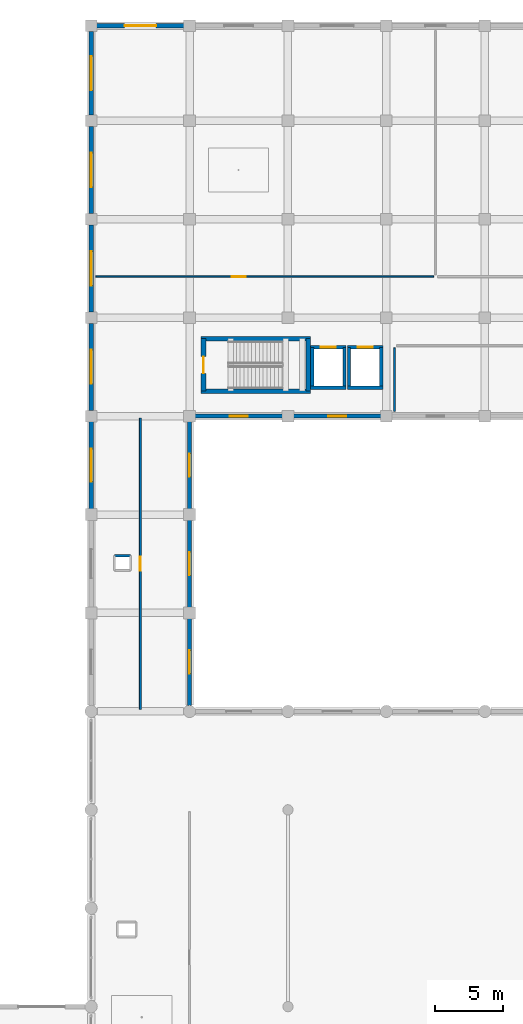
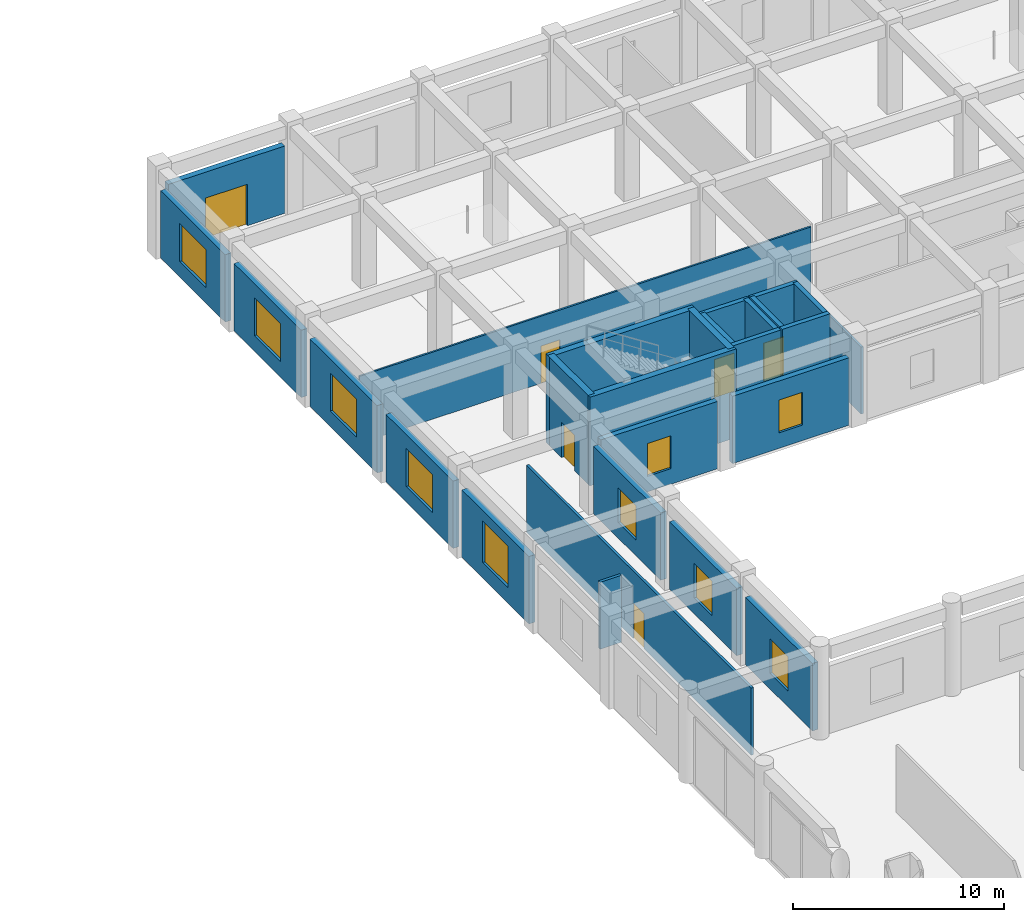
# One storey, part 30 of 56: 27 walls, 10 windows, 6 doors, 16 openings.
"""IFC4 building model written with IfcOpenShell, lengths in metres."""

import ifcopenshell
import ifcopenshell.guid

model = None  # the IFC model being written
_history = None  # IfcOwnerHistory: only IFC2X3 demands one
_inside = {}  # id of a spatial element -> (the spatial element, [elements in it])
_under = {}  # id of a project, library or spatial element -> (it, [spatial elements below it])
_declared = {}  # id of a project -> (the project, [libraries it declares])
_typed = {}  # id of a type object -> (the type object, [elements of that type])
_made_of = {}  # id of a material, layer set ... -> (it, [elements and type objects made of it])


def new_model(schema):
    """Start an empty IFC model of exactly this schema.

    Asked for "IFC4X3", IfcOpenShell would pick the latest addendum, in which some entities
    have other attributes; the version numbers below select the first issue.
    IFC2X3 requires an IfcOwnerHistory on every rooted entity: one is made here for all.
    """
    global model, _history
    if schema == "IFC4X3":
        model = ifcopenshell.file(schema_version=(4, 3, 0, 0))
    else:
        model = ifcopenshell.file(schema=schema)
    _inside.clear()
    _under.clear()
    _declared.clear()
    _typed.clear()
    _made_of.clear()
    _history = None
    if model.schema == "IFC2X3":
        org = make("IfcOrganization", Name="unknown")
        user = make(
            "IfcPersonAndOrganization",
            ThePerson=make("IfcPerson", FamilyName="unknown"),
            TheOrganization=org,
        )
        app = make(
            "IfcApplication",
            ApplicationDeveloper=org,
            Version="unknown",
            ApplicationFullName="unknown",
            ApplicationIdentifier="unknown",
        )
        _history = make(
            "IfcOwnerHistory",
            OwningUser=user,
            OwningApplication=app,
            ChangeAction="ADDED",
            CreationDate=0,
        )
    return model


def make(cls, **values):
    """One entity of the class cls with the attributes given. An attribute that is None is left unset."""
    return model.create_entity(
        cls, **{name: value for name, value in values.items() if value is not None}
    )


def rooted(cls, **values):
    """An entity with a GlobalId (a new one), such as an element, a storey or a relation."""
    return make(cls, GlobalId=ifcopenshell.guid.new(), OwnerHistory=_history, **values)


def si_unit(unit_type, name, prefix=None):
    """IfcSIUnit, for example si_unit("LENGTHUNIT", "METRE", prefix="MILLI")."""
    return make("IfcSIUnit", UnitType=unit_type, Prefix=prefix, Name=name)


def assignment(units):
    """IfcUnitAssignment: the units of a project."""
    return None if units is None else make("IfcUnitAssignment", Units=units)


def point(xyz):
    """IfcCartesianPoint."""
    return None if xyz is None else make("IfcCartesianPoint", Coordinates=xyz)


def direction(xyz):
    """IfcDirection."""
    return None if xyz is None else make("IfcDirection", DirectionRatios=xyz)


def frame(location, z_axis=None, x_axis=None):
    """IfcAxis2Placement3D, a coordinate frame: its origin and axes. An axis left out is left unset."""
    return make(
        "IfcAxis2Placement3D",
        Location=point(location),
        Axis=direction(z_axis),
        RefDirection=direction(x_axis),
    )


def frame_2d(location, x_axis=None):
    """IfcAxis2Placement2D, a coordinate frame in the plane: its origin and x axis."""
    return make(
        "IfcAxis2Placement2D", Location=point(location), RefDirection=direction(x_axis)
    )


def origin():
    """The frame at (0, 0, 0) with its axes left unset."""
    return frame((0.0, 0.0, 0.0))


def place(relative_to, where):
    """IfcLocalPlacement: puts the frame where relative to a parent placement (None: the world)."""
    return make(
        "IfcLocalPlacement", PlacementRelTo=relative_to, RelativePlacement=where
    )


def context(
    kind, dimensions, precision=None, world=None, true_north=None, identifier=None
):
    """IfcGeometricRepresentationContext, for example the 3D "Model" context."""
    return make(
        "IfcGeometricRepresentationContext",
        ContextIdentifier=identifier,
        ContextType=kind,
        CoordinateSpaceDimension=dimensions,
        Precision=precision,
        WorldCoordinateSystem=world,
        TrueNorth=true_north,
    )


def subcontext(parent, identifier, kind, view, scale=None):
    """IfcGeometricRepresentationSubContext, for example "Body" below "Model"."""
    return make(
        "IfcGeometricRepresentationSubContext",
        ContextIdentifier=identifier,
        ContextType=kind,
        ParentContext=parent,
        TargetScale=scale,
        TargetView=view,
    )


def project(units=None, contexts=None):
    """IfcProject with its units and contexts."""
    return rooted(
        "IfcProject",
        Name="project",
        RepresentationContexts=contexts,
        UnitsInContext=assignment(units),
    )


def spatial(cls, under=None, at=None, **own):
    """A site, building, storey or space (cls), placed at a placement, below another one or the project."""
    s = rooted(cls, ObjectPlacement=at, **own)
    if under is not None:
        _under.setdefault(under.id(), (under, []))[1].append(s)
    return s


def profile(cls, at=None, kind="AREA", **sizes):
    """A parametric profile (cls). Its sizes go by their IFC names, for example OverallWidth=200.0."""
    return make(cls, ProfileType=kind, Position=at, **sizes)


def rectangle(**sizes):
    """IfcRectangleProfileDef."""
    return profile("IfcRectangleProfileDef", **sizes)


def extrude(swept, where, along, depth):
    """IfcExtrudedAreaSolid: the profile swept, set in the frame where, extruded along a direction by depth."""
    return make(
        "IfcExtrudedAreaSolid",
        SweptArea=swept,
        Position=where,
        ExtrudedDirection=direction(along),
        Depth=depth,
    )


def shape(context_of_items, identifier, shape_type, items):
    """IfcShapeRepresentation: the items that make up one representation, for example the "Body"."""
    return make(
        "IfcShapeRepresentation",
        ContextOfItems=context_of_items,
        RepresentationIdentifier=identifier,
        RepresentationType=shape_type,
        Items=items,
    )


def material(Name=None, Category=None):
    """IfcMaterial."""
    return make("IfcMaterial", Name=Name, Category=Category)


def layer(
    of_material, thickness, ventilated=None, Name=None, Category=None, Priority=None
):
    """IfcMaterialLayer: one layer of a wall or slab, of a material (None: an air gap)."""
    return make(
        "IfcMaterialLayer",
        Material=of_material,
        LayerThickness=thickness,
        IsVentilated=ventilated,
        Name=Name,
        Category=Category,
        Priority=Priority,
    )


def layer_set(layers, Name=None):
    """IfcMaterialLayerSet."""
    return make("IfcMaterialLayerSet", MaterialLayers=layers, LayerSetName=Name)


def made_of(thing, what):
    """Note that an element or type object is made of a material, layer set ...; save() writes the relation."""
    if what is not None:
        _made_of.setdefault(what.id(), (what, []))[1].append(thing)
    return thing


def type_object(cls, material=None, **own):
    """A type object (cls), such as IfcWallType, which elements share."""
    return made_of(rooted(cls, **own), material)


def element(
    cls,
    number,
    at=None,
    inside=None,
    cuts=None,
    type_object=None,
    material=None,
    context=None,
    identifier="Body",
    shape_type=None,
    held_by="IfcProductDefinitionShape",
    body=None,
    shapes=None,
    **own,
):
    """One element of the class cls, such as IfcWall. Its Tag is "e" and its number.

    at: its placement. inside: the storey or other place that contains it. cuts: it is an
    opening in that element (IfcRelVoidsElement). A single representation is given by context,
    identifier, shape_type and body (its items); several are given by shapes. held_by: the class
    of the entity that holds the representations. save() writes the other relations.
    """
    e = rooted(cls, Tag="e%d" % number, ObjectPlacement=at, **own)
    if body is not None:
        shapes = [shape(context, identifier, shape_type, body)]
    if shapes is not None:
        e.Representation = make(held_by, Representations=shapes)
    if inside is not None:
        _inside.setdefault(inside.id(), (inside, []))[1].append(e)
    if cuts is not None:
        rooted(
            "IfcRelVoidsElement", RelatingBuildingElement=cuts, RelatedOpeningElement=e
        )
    if type_object is not None:
        _typed.setdefault(type_object.id(), (type_object, []))[1].append(e)
    return made_of(e, material)


def fill(opening, filler):
    """IfcRelFillsElement: the door or window that sits in an opening."""
    return rooted(
        "IfcRelFillsElement",
        RelatingOpeningElement=opening,
        RelatedBuildingElement=filler,
    )


def aggregate(whole, parts):
    """IfcRelAggregates: a whole, such as a stair, and the parts it consists of."""
    return rooted("IfcRelAggregates", RelatingObject=whole, RelatedObjects=parts)


def save(model, path):
    """Write the relations noted so far, then the file.

    IfcRelAggregates (storeys below a building ...), IfcRelContainedInSpatialStructure (elements
    in a storey), IfcRelDefinesByType, IfcRelAssociatesMaterial and IfcRelDeclares: one each for
    every whole, place, type object, material and project.
    """
    for whole, parts in _under.values():
        aggregate(whole, parts)
    for where, things in _inside.values():
        rooted(
            "IfcRelContainedInSpatialStructure",
            RelatedElements=things,
            RelatingStructure=where,
        )
    for kind, things in _typed.values():
        rooted("IfcRelDefinesByType", RelatedObjects=things, RelatingType=kind)
    for what, things in _made_of.values():
        rooted("IfcRelAssociatesMaterial", RelatedObjects=things, RelatingMaterial=what)
    for by, libraries in _declared.values():
        rooted("IfcRelDeclares", RelatingContext=by, RelatedDefinitions=libraries)
    model.write(path)


model = new_model("IFC4")

# Units and contexts
model_context = context("Model", 3, precision=1e-05, world=origin(), true_north=direction((0.0, 1.0)))
body_context = subcontext(model_context, "Body", "Model", "MODEL_VIEW")
ifc_project = project(units=[si_unit("LENGTHUNIT", "METRE"), si_unit("AREAUNIT", "SQUARE_METRE"), si_unit("VOLUMEUNIT", "CUBIC_METRE"), si_unit("PLANEANGLEUNIT", "RADIAN"), si_unit("MASSUNIT", "GRAM", prefix="KILO")], contexts=[model_context])

# Site, building, storey
site_placement = place(None, origin())
site = spatial("IfcSite", under=ifc_project, at=site_placement, CompositionType="ELEMENT")
building_placement = place(site_placement, origin())
building = spatial("IfcBuilding", under=site, at=building_placement, Name="Kazehaya Institute of Natural Sciences", CompositionType="ELEMENT")
storey_placement = place(building_placement, origin())
storey = spatial("IfcBuildingStorey", under=building, at=storey_placement, Name="L00", CompositionType="ELEMENT", Elevation=0.0)

# Walls
ifc_material_1 = material(Name="Concrete Fc42", Category="concrete")
ifc_layer_1 = layer(ifc_material_1, 0.35009765625, Name="Concrete Fc42", Category="concrete")
ifc_layer_set_1 = layer_set([ifc_layer_1], Name="Concrete Fc42")
wall_type_1 = type_object("IfcWallType", Name="WL-CORE-350", PredefinedType="SHEAR", material=ifc_layer_set_1)
for number, where, z_axis, x_axis, name in (
    (1, (77.85498046875, 87.820068359375, 0.0), (0.0, 0.0, 1.0), (-1.0, 0.0, 0.0), "L00 ST-3 core wall S"),
    (2, (69.844970703125, 91.659912109375, 0.0), (0.0, 0.0, 1.0), (1.0, 0.0, 0.0), "L00 ST-3 core wall N"),
):
    element("IfcWall", number, at=place(storey_placement, frame(where, z_axis=z_axis, x_axis=x_axis)), inside=storey, type_object=wall_type_1, Name=name, PredefinedType="SHEAR", context=body_context, shape_type="SweptSolid", body=[
        extrude(rectangle(XDim=8.010009765625, YDim=0.35009765625, at=frame_2d((4.0048828125, 0.0))), origin(), (0.0, 0.0, 1.0), 5.1298828125),
    ])

# Wall, opening, door
wall_1_placement = place(storey_placement, frame((70.02001953125, 87.820068359375, 0.0), z_axis=(0.0, 0.0, 1.0), x_axis=(0.0, 1.0, 0.0)))
wall_1 = element("IfcWall", 3, at=wall_1_placement, inside=storey, type_object=wall_type_1, Name="L00 ST-3 core wall W", PredefinedType="SHEAR", context=body_context, shape_type="SweptSolid", body=[
    extrude(rectangle(XDim=3.83984375, YDim=0.35009765625, at=frame_2d((1.919921875, 0.0))), origin(), (0.0, 0.0, 1.0), 5.1298828125),
])
opening_1_placement = place(wall_1_placement, frame((1.31005859375, 0.0, 0.0)))
opening_1 = element("IfcOpeningElement", 4, at=opening_1_placement, cuts=wall_1, Name="Opening D-ST-024", PredefinedType="OPENING", context=body_context, shape_type="SweptSolid", body=[
    extrude(rectangle(XDim=1.219970703125, YDim=2.06005859375, at=frame_2d((0.60986328125, 1.030029296875))), frame((0.0, 0.18505859375, 0.0), z_axis=(0.0, -1.0, 0.0), x_axis=(1.0, 0.0, 0.0)), (0.0, 0.0, 1.0), 0.3701171875),
])
ifc_material_2 = material(Name="Fire-rated steel acoustic door", Category="steel")
door_type_1 = type_object("IfcDoorType", Name="DT-FD-25", OperationType="NOTDEFINED", PredefinedType="DOOR", material=ifc_material_2)
door_1_placement = place(opening_1_placement, origin())
door_1 = element("IfcDoor", 5, at=door_1_placement, inside=storey, type_object=door_type_1, Name="L00 ST-3 stair enclosure door D-ST-024", OperationType="SINGLE_SWING_RIGHT", OverallHeight=2.06005859375, OverallWidth=1.219970703125, PredefinedType="DOOR", context=body_context, shape_type="SweptSolid", body=[
    extrude(rectangle(XDim=1.219970703125, YDim=2.06005859375, at=frame_2d((0.60986328125, 1.030029296875))), frame((0.0, 0.02490234375, 0.0), z_axis=(0.0, -1.0, 0.0), x_axis=(1.0, 0.0, 0.0)), (0.0, 0.0, 1.0), 0.050048828125),
])
fill(opening_1, door_1)

# Wall
wall_2_placement = place(storey_placement, frame((77.679931640625, 91.659912109375, 0.0), z_axis=(0.0, 0.0, 1.0), x_axis=(0.0, -1.0, 0.0)))
element("IfcWall", 6, at=wall_2_placement, inside=storey, type_object=wall_type_1, Name="L00 ST-3 core wall E", PredefinedType="SHEAR", context=body_context, shape_type="SweptSolid", body=[
    extrude(rectangle(XDim=3.83984375, YDim=0.35009765625, at=frame_2d((1.919921875, 0.0))), origin(), (0.0, 0.0, 1.0), 5.1298828125),
])

# Wall, opening, window
ifc_material_3 = material(Name="Precast concrete Fc36", Category="concrete")
ifc_layer_2 = layer(ifc_material_3, 0.2900390625, Name="Precast concrete Fc36", Category="concrete")
ifc_layer_set_2 = layer_set([ifc_layer_2], Name="Precast concrete Fc36")
wall_type_2 = type_object("IfcWallType", Name="WL-EXT-290", PredefinedType="SOLIDWALL", material=ifc_layer_set_2)
wall_3_placement = place(storey_placement, frame((82.989990234375, 86.0, 0.0), z_axis=(0.0, 0.0, 1.0), x_axis=(-1.0, 0.0, 0.0)))
wall_3 = element("IfcWall", 7, at=wall_3_placement, inside=storey, type_object=wall_type_2, Name="L00 exterior wall EW-L00-0152", PredefinedType="SOLIDWALL", context=body_context, shape_type="SweptSolid", body=[
    extrude(rectangle(XDim=6.3798828125, YDim=0.2900390625, at=frame_2d((3.18994140625, 0.0))), origin(), (0.0, 0.0, 1.0), 3.89990234375),
])
opening_2_placement = place(wall_3_placement, frame((2.5400390625, 0.0, 0.89990234375)))
opening_2 = element("IfcOpeningElement", 8, at=opening_2_placement, cuts=wall_3, Name="Opening W26", PredefinedType="OPENING", context=body_context, shape_type="SweptSolid", body=[
    extrude(rectangle(XDim=1.300048828125, YDim=1.89990234375, at=frame_2d((0.64990234375, 0.949951171875))), frame((0.0, 0.155029296875, 0.0), z_axis=(0.0, -1.0, 0.0), x_axis=(1.0, 0.0, 0.0)), (0.0, 0.0, 1.0), 0.31005859375),
])
ifc_material_4 = material(Name="Low-E double-glazed aluminium window", Category="aluminium")
window_type_1 = type_object("IfcWindowType", Name="WN-26", PartitioningType="SINGLE_PANEL", PredefinedType="WINDOW", material=ifc_material_4)
window_1_placement = place(opening_2_placement, origin())
window_1 = element("IfcWindow", 9, at=window_1_placement, inside=storey, type_object=window_type_1, Name="L00 facade window 0054", OverallHeight=1.89990234375, OverallWidth=1.300048828125, PartitioningType="SINGLE_PANEL", PredefinedType="WINDOW", context=body_context, shape_type="SweptSolid", body=[
    extrude(rectangle(XDim=1.300048828125, YDim=1.89990234375, at=frame_2d((0.64990234375, 0.949951171875))), frame((0.0, 0.030029296875, 0.0), z_axis=(0.0, -1.0, 0.0), x_axis=(1.0, 0.0, 0.0)), (0.0, 0.0, 1.0), 0.06005859375),
])
fill(opening_2, window_1)

wall_4_placement = place(storey_placement, frame((75.7900390625, 86.0, 0.0), z_axis=(0.0, 0.0, 1.0), x_axis=(-1.0, 0.0, 0.0)))
wall_4 = element("IfcWall", 10, at=wall_4_placement, inside=storey, type_object=wall_type_2, Name="L00 exterior wall EW-L00-0153", PredefinedType="SOLIDWALL", context=body_context, shape_type="SweptSolid", body=[
    extrude(rectangle(XDim=6.380126953125, YDim=0.2900390625, at=frame_2d((3.18994140625, 0.0))), origin(), (0.0, 0.0, 1.0), 3.89990234375),
])
opening_3_placement = place(wall_4_placement, frame((2.5400390625, 0.0, 0.89990234375)))
opening_3 = element("IfcOpeningElement", 11, at=opening_3_placement, cuts=wall_4, Name="Opening W26", PredefinedType="OPENING", context=body_context, shape_type="SweptSolid", body=[
    extrude(rectangle(XDim=1.300048828125, YDim=1.89990234375, at=frame_2d((0.64990234375, 0.949951171875))), frame((0.0, 0.155029296875, 0.0), z_axis=(0.0, -1.0, 0.0), x_axis=(1.0, 0.0, 0.0)), (0.0, 0.0, 1.0), 0.31005859375),
])
window_2_placement = place(opening_3_placement, origin())
window_2 = element("IfcWindow", 12, at=window_2_placement, inside=storey, type_object=window_type_1, Name="L00 facade window 0055", OverallHeight=1.89990234375, OverallWidth=1.300048828125, PartitioningType="SINGLE_PANEL", PredefinedType="WINDOW", context=body_context, shape_type="SweptSolid", body=[
    extrude(rectangle(XDim=1.300048828125, YDim=1.89990234375, at=frame_2d((0.64990234375, 0.949951171875))), frame((0.0, 0.030029296875, 0.0), z_axis=(0.0, -1.0, 0.0), x_axis=(1.0, 0.0, 0.0)), (0.0, 0.0, 1.0), 0.06005859375),
])
fill(opening_3, window_2)

ifc_layer_3 = layer(ifc_material_3, 0.31005859375, Name="Precast concrete Fc36", Category="concrete")
ifc_layer_set_3 = layer_set([ifc_layer_3], Name="Precast concrete Fc36")
wall_type_3 = type_object("IfcWallType", Name="WL-EXT-310", PredefinedType="SOLIDWALL", material=ifc_layer_set_3)
wall_5_placement = place(storey_placement, frame((69.0, 71.18994140625, 0.0), z_axis=(0.0, 0.0, 1.0), x_axis=(0.0, -1.0, 0.0)))
wall_5 = element("IfcWall", 13, at=wall_5_placement, inside=storey, type_object=wall_type_3, Name="L00 exterior wall EW-L00-0124", PredefinedType="SOLIDWALL", context=body_context, shape_type="SweptSolid", body=[
    extrude(rectangle(XDim=6.35498046875, YDim=0.31005859375, at=frame_2d((3.177490234375, 0.0))), origin(), (0.0, 0.0, 1.0), 3.89990234375),
])
opening_4_placement = place(wall_5_placement, frame((2.327392578125, 0.0, 0.89990234375)))
opening_4 = element("IfcOpeningElement", 14, at=opening_4_placement, cuts=wall_5, Name="Opening W22", PredefinedType="OPENING", context=body_context, shape_type="SweptSolid", body=[
    extrude(rectangle(XDim=1.699951171875, YDim=2.0, at=frame_2d((0.85009765625, 1.0))), frame((0.0, 0.1650390625, 0.0), z_axis=(0.0, -1.0, 0.0), x_axis=(1.0, 0.0, 0.0)), (0.0, 0.0, 1.0), 0.330078125),
])
window_type_2 = type_object("IfcWindowType", Name="WN-22", PartitioningType="SINGLE_PANEL", PredefinedType="WINDOW", material=ifc_material_4)
window_3_placement = place(opening_4_placement, origin())
window_3 = element("IfcWindow", 15, at=window_3_placement, inside=storey, type_object=window_type_2, Name="L00 facade window 0027", OverallHeight=2.0, OverallWidth=1.699951171875, PartitioningType="SINGLE_PANEL", PredefinedType="WINDOW", context=body_context, shape_type="SweptSolid", body=[
    extrude(rectangle(XDim=1.699951171875, YDim=2.0, at=frame_2d((0.85009765625, 1.0))), frame((0.0, 0.030029296875, 0.0), z_axis=(0.0, -1.0, 0.0), x_axis=(1.0, 0.0, 0.0)), (0.0, 0.0, 1.0), 0.06005859375),
])
fill(opening_4, window_3)

wall_6_placement = place(storey_placement, frame((69.0, 78.389892578125, 0.0), z_axis=(0.0, 0.0, 1.0), x_axis=(0.0, -1.0, 0.0)))
wall_6 = element("IfcWall", 16, at=wall_6_placement, inside=storey, type_object=wall_type_3, Name="L00 exterior wall EW-L00-0128", PredefinedType="SOLIDWALL", context=body_context, shape_type="SweptSolid", body=[
    extrude(rectangle(XDim=6.3798828125, YDim=0.31005859375, at=frame_2d((3.18994140625, 0.0))), origin(), (0.0, 0.0, 1.0), 3.89990234375),
])
opening_5_placement = place(wall_6_placement, frame((2.340087890625, 0.0, 0.89990234375)))
opening_5 = element("IfcOpeningElement", 17, at=opening_5_placement, cuts=wall_6, Name="Opening W22", PredefinedType="OPENING", context=body_context, shape_type="SweptSolid", body=[
    extrude(rectangle(XDim=1.699951171875, YDim=2.0, at=frame_2d((0.85009765625, 1.0))), frame((0.0, 0.1650390625, 0.0), z_axis=(0.0, -1.0, 0.0), x_axis=(1.0, 0.0, 0.0)), (0.0, 0.0, 1.0), 0.330078125),
])
window_4_placement = place(opening_5_placement, origin())
window_4 = element("IfcWindow", 18, at=window_4_placement, inside=storey, type_object=window_type_2, Name="L00 facade window 0031", OverallHeight=2.0, OverallWidth=1.699951171875, PartitioningType="SINGLE_PANEL", PredefinedType="WINDOW", context=body_context, shape_type="SweptSolid", body=[
    extrude(rectangle(XDim=1.699951171875, YDim=2.0, at=frame_2d((0.85009765625, 1.0))), frame((0.0, 0.030029296875, 0.0), z_axis=(0.0, -1.0, 0.0), x_axis=(1.0, 0.0, 0.0)), (0.0, 0.0, 1.0), 0.06005859375),
])
fill(opening_5, window_4)

wall_7_placement = place(storey_placement, frame((69.0, 85.590087890625, 0.0), z_axis=(0.0, 0.0, 1.0), x_axis=(0.0, -1.0, 0.0)))
wall_7 = element("IfcWall", 19, at=wall_7_placement, inside=storey, type_object=wall_type_3, Name="L00 exterior wall EW-L00-0132", PredefinedType="SOLIDWALL", context=body_context, shape_type="SweptSolid", body=[
    extrude(rectangle(XDim=6.380126953125, YDim=0.31005859375, at=frame_2d((3.18994140625, 0.0))), origin(), (0.0, 0.0, 1.0), 3.89990234375),
])
opening_6_placement = place(wall_7_placement, frame((2.340087890625, 0.0, 0.89990234375)))
opening_6 = element("IfcOpeningElement", 20, at=opening_6_placement, cuts=wall_7, Name="Opening W22", PredefinedType="OPENING", context=body_context, shape_type="SweptSolid", body=[
    extrude(rectangle(XDim=1.699951171875, YDim=2.0, at=frame_2d((0.85009765625, 1.0))), frame((0.0, 0.1650390625, 0.0), z_axis=(0.0, -1.0, 0.0), x_axis=(1.0, 0.0, 0.0)), (0.0, 0.0, 1.0), 0.330078125),
])
window_5_placement = place(opening_6_placement, origin())
window_5 = element("IfcWindow", 21, at=window_5_placement, inside=storey, type_object=window_type_2, Name="L00 facade window 0035", OverallHeight=2.0, OverallWidth=1.699951171875, PartitioningType="SINGLE_PANEL", PredefinedType="WINDOW", context=body_context, shape_type="SweptSolid", body=[
    extrude(rectangle(XDim=1.699951171875, YDim=2.0, at=frame_2d((0.85009765625, 1.0))), frame((0.0, 0.030029296875, 0.0), z_axis=(0.0, -1.0, 0.0), x_axis=(1.0, 0.0, 0.0)), (0.0, 0.0, 1.0), 0.06005859375),
])
fill(opening_6, window_5)

ifc_layer_4 = layer(ifc_material_3, 0.320068359375, Name="Precast concrete Fc36", Category="concrete")
ifc_layer_set_4 = layer_set([ifc_layer_4], Name="Precast concrete Fc36")
wall_type_4 = type_object("IfcWallType", Name="WL-EXT-320", PredefinedType="SOLIDWALL", material=ifc_layer_set_4)
wall_8_placement = place(storey_placement, frame((61.800048828125, 79.2099609375, 0.0), z_axis=(0.0, 0.0, 1.0), x_axis=(0.0, 1.0, 0.0)))
wall_8 = element("IfcWall", 22, at=wall_8_placement, inside=storey, type_object=wall_type_4, Name="L00 exterior wall EW-L00-0130", PredefinedType="SOLIDWALL", context=body_context, shape_type="SweptSolid", body=[
    extrude(rectangle(XDim=6.380126953125, YDim=0.320068359375, at=frame_2d((3.18994140625, 0.0))), origin(), (0.0, 0.0, 1.0), 3.89990234375),
])
opening_7_placement = place(wall_8_placement, frame((1.989990234375, 0.0, 0.89990234375)))
opening_7 = element("IfcOpeningElement", 23, at=opening_7_placement, cuts=wall_8, Name="Opening W03", PredefinedType="OPENING", context=body_context, shape_type="SweptSolid", body=[
    extrude(rectangle(XDim=2.39990234375, YDim=2.39990234375, at=frame_2d((1.199951171875, 1.199951171875))), frame((0.0, 0.169921875, 0.0), z_axis=(0.0, -1.0, 0.0), x_axis=(1.0, 0.0, 0.0)), (0.0, 0.0, 1.0), 0.340087890625),
])
window_type_3 = type_object("IfcWindowType", Name="WN-03", PartitioningType="DOUBLE_PANEL_VERTICAL", PredefinedType="WINDOW", material=ifc_material_4)
window_6_placement = place(opening_7_placement, origin())
window_6 = element("IfcWindow", 24, at=window_6_placement, inside=storey, type_object=window_type_3, Name="L00 facade window 0033", OverallHeight=2.39990234375, OverallWidth=2.39990234375, PartitioningType="DOUBLE_PANEL_VERTICAL", PredefinedType="WINDOW", context=body_context, shape_type="SweptSolid", body=[
    extrude(rectangle(XDim=2.39990234375, YDim=2.39990234375, at=frame_2d((1.199951171875, 1.199951171875))), frame((0.0, 0.030029296875, 0.0), z_axis=(0.0, -1.0, 0.0), x_axis=(1.0, 0.0, 0.0)), (0.0, 0.0, 1.0), 0.06005859375),
])
fill(opening_7, window_6)

wall_9_placement = place(storey_placement, frame((61.800048828125, 86.409912109375, 0.0), z_axis=(0.0, 0.0, 1.0), x_axis=(0.0, 1.0, 0.0)))
wall_9 = element("IfcWall", 25, at=wall_9_placement, inside=storey, type_object=wall_type_4, Name="L00 exterior wall EW-L00-0134", PredefinedType="SOLIDWALL", context=body_context, shape_type="SweptSolid", body=[
    extrude(rectangle(XDim=6.380126953125, YDim=0.320068359375, at=frame_2d((3.18994140625, 0.0))), origin(), (0.0, 0.0, 1.0), 3.89990234375),
])
opening_8_placement = place(wall_9_placement, frame((1.93994140625, 0.0, 0.89990234375)))
opening_8 = element("IfcOpeningElement", 26, at=opening_8_placement, cuts=wall_9, Name="Opening W24", PredefinedType="OPENING", context=body_context, shape_type="SweptSolid", body=[
    extrude(rectangle(XDim=2.5, YDim=2.199951171875, at=frame_2d((1.25, 1.10009765625))), frame((0.0, 0.169921875, 0.0), z_axis=(0.0, -1.0, 0.0), x_axis=(1.0, 0.0, 0.0)), (0.0, 0.0, 1.0), 0.340087890625),
])
window_type_4 = type_object("IfcWindowType", Name="WN-24", PartitioningType="DOUBLE_PANEL_VERTICAL", PredefinedType="WINDOW", material=ifc_material_4)
window_7_placement = place(opening_8_placement, origin())
window_7 = element("IfcWindow", 27, at=window_7_placement, inside=storey, type_object=window_type_4, Name="L00 facade window 0037", OverallHeight=2.199951171875, OverallWidth=2.5, PartitioningType="DOUBLE_PANEL_VERTICAL", PredefinedType="WINDOW", context=body_context, shape_type="SweptSolid", body=[
    extrude(rectangle(XDim=2.5, YDim=2.199951171875, at=frame_2d((1.25, 1.10009765625))), frame((0.0, 0.030029296875, 0.0), z_axis=(0.0, -1.0, 0.0), x_axis=(1.0, 0.0, 0.0)), (0.0, 0.0, 1.0), 0.06005859375),
])
fill(opening_8, window_7)

wall_10_placement = place(storey_placement, frame((61.800048828125, 93.610107421875, 0.0), z_axis=(0.0, 0.0, 1.0), x_axis=(0.0, 1.0, 0.0)))
wall_10 = element("IfcWall", 28, at=wall_10_placement, inside=storey, type_object=wall_type_4, Name="L00 exterior wall EW-L00-0136", PredefinedType="SOLIDWALL", context=body_context, shape_type="SweptSolid", body=[
    extrude(rectangle(XDim=6.3798828125, YDim=0.320068359375, at=frame_2d((3.18994140625, 0.0))), origin(), (0.0, 0.0, 1.0), 3.89990234375),
])
opening_9_placement = place(wall_10_placement, frame((1.93994140625, 0.0, 0.89990234375)))
opening_9 = element("IfcOpeningElement", 29, at=opening_9_placement, cuts=wall_10, Name="Opening W24", PredefinedType="OPENING", context=body_context, shape_type="SweptSolid", body=[
    extrude(rectangle(XDim=2.5, YDim=2.199951171875, at=frame_2d((1.25, 1.10009765625))), frame((0.0, 0.169921875, 0.0), z_axis=(0.0, -1.0, 0.0), x_axis=(1.0, 0.0, 0.0)), (0.0, 0.0, 1.0), 0.340087890625),
])
window_8_placement = place(opening_9_placement, origin())
window_8 = element("IfcWindow", 30, at=window_8_placement, inside=storey, type_object=window_type_4, Name="L00 facade window 0039", OverallHeight=2.199951171875, OverallWidth=2.5, PartitioningType="DOUBLE_PANEL_VERTICAL", PredefinedType="WINDOW", context=body_context, shape_type="SweptSolid", body=[
    extrude(rectangle(XDim=2.5, YDim=2.199951171875, at=frame_2d((1.25, 1.10009765625))), frame((0.0, 0.030029296875, 0.0), z_axis=(0.0, -1.0, 0.0), x_axis=(1.0, 0.0, 0.0)), (0.0, 0.0, 1.0), 0.06005859375),
])
fill(opening_9, window_8)

wall_11_placement = place(storey_placement, frame((61.800048828125, 100.81005859375, 0.0), z_axis=(0.0, 0.0, 1.0), x_axis=(0.0, 1.0, 0.0)))
wall_11 = element("IfcWall", 31, at=wall_11_placement, inside=storey, type_object=wall_type_4, Name="L00 exterior wall EW-L00-0138", PredefinedType="SOLIDWALL", context=body_context, shape_type="SweptSolid", body=[
    extrude(rectangle(XDim=6.3798828125, YDim=0.320068359375, at=frame_2d((3.18994140625, 0.0))), origin(), (0.0, 0.0, 1.0), 3.89990234375),
])
opening_10_placement = place(wall_11_placement, frame((1.93994140625, 0.0, 0.89990234375)))
opening_10 = element("IfcOpeningElement", 32, at=opening_10_placement, cuts=wall_11, Name="Opening W24", PredefinedType="OPENING", context=body_context, shape_type="SweptSolid", body=[
    extrude(rectangle(XDim=2.5, YDim=2.199951171875, at=frame_2d((1.25, 1.10009765625))), frame((0.0, 0.169921875, 0.0), z_axis=(0.0, -1.0, 0.0), x_axis=(1.0, 0.0, 0.0)), (0.0, 0.0, 1.0), 0.340087890625),
])
window_9_placement = place(opening_10_placement, origin())
window_9 = element("IfcWindow", 33, at=window_9_placement, inside=storey, type_object=window_type_4, Name="L00 facade window 0041", OverallHeight=2.199951171875, OverallWidth=2.5, PartitioningType="DOUBLE_PANEL_VERTICAL", PredefinedType="WINDOW", context=body_context, shape_type="SweptSolid", body=[
    extrude(rectangle(XDim=2.5, YDim=2.199951171875, at=frame_2d((1.25, 1.10009765625))), frame((0.0, 0.030029296875, 0.0), z_axis=(0.0, -1.0, 0.0), x_axis=(1.0, 0.0, 0.0)), (0.0, 0.0, 1.0), 0.06005859375),
])
fill(opening_10, window_9)

wall_12_placement = place(storey_placement, frame((61.800048828125, 108.010009765625, 0.0), z_axis=(0.0, 0.0, 1.0), x_axis=(0.0, 1.0, 0.0)))
wall_12 = element("IfcWall", 34, at=wall_12_placement, inside=storey, type_object=wall_type_4, Name="L00 exterior wall EW-L00-0140", PredefinedType="SOLIDWALL", context=body_context, shape_type="SweptSolid", body=[
    extrude(rectangle(XDim=6.1298828125, YDim=0.320068359375, at=frame_2d((3.06494140625, 0.0))), origin(), (0.0, 0.0, 1.0), 3.89990234375),
])
opening_11_placement = place(wall_12_placement, frame((1.81494140625, 0.0, 0.89990234375)))
opening_11 = element("IfcOpeningElement", 35, at=opening_11_placement, cuts=wall_12, Name="Opening W24", PredefinedType="OPENING", context=body_context, shape_type="SweptSolid", body=[
    extrude(rectangle(XDim=2.5, YDim=2.199951171875, at=frame_2d((1.25, 1.10009765625))), frame((0.0, 0.169921875, 0.0), z_axis=(0.0, -1.0, 0.0), x_axis=(1.0, 0.0, 0.0)), (0.0, 0.0, 1.0), 0.340087890625),
])
window_10_placement = place(opening_11_placement, origin())
window_10 = element("IfcWindow", 36, at=window_10_placement, inside=storey, type_object=window_type_4, Name="L00 facade window 0043", OverallHeight=2.199951171875, OverallWidth=2.5, PartitioningType="DOUBLE_PANEL_VERTICAL", PredefinedType="WINDOW", context=body_context, shape_type="SweptSolid", body=[
    extrude(rectangle(XDim=2.5, YDim=2.199951171875, at=frame_2d((1.25, 1.10009765625))), frame((0.0, 0.030029296875, 0.0), z_axis=(0.0, -1.0, 0.0), x_axis=(1.0, 0.0, 0.0)), (0.0, 0.0, 1.0), 0.06005859375),
])
fill(opening_11, window_10)

# Wall, opening, door
wall_13_placement = place(storey_placement, frame((62.2099609375, 114.550048828125, 0.0), z_axis=(0.0, 0.0, 1.0), x_axis=(1.0, 0.0, 0.0)))
wall_13 = element("IfcWall", 37, at=wall_13_placement, inside=storey, type_object=wall_type_4, Name="L00 exterior wall EW-L00-0142", PredefinedType="SOLIDWALL", context=body_context, shape_type="SweptSolid", body=[
    extrude(rectangle(XDim=6.380126953125, YDim=0.320068359375, at=frame_2d((3.18994140625, 0.0))), origin(), (0.0, 0.0, 1.0), 3.89990234375),
])
opening_12_placement = place(wall_13_placement, frame((2.0400390625, 0.0, 0.0)))
opening_12 = element("IfcOpeningElement", 38, at=opening_12_placement, cuts=wall_13, Name="Opening D-E10", PredefinedType="OPENING", context=body_context, shape_type="SweptSolid", body=[
    extrude(rectangle(XDim=2.300048828125, YDim=2.39990234375, at=frame_2d((1.14990234375, 1.199951171875))), frame((0.0, 0.169921875, 0.0), z_axis=(0.0, -1.0, 0.0), x_axis=(1.0, 0.0, 0.0)), (0.0, 0.0, 1.0), 0.340087890625),
])
ifc_material_5 = material(Name="Insulated bronze-clad steel door", Category="steel")
door_type_2 = type_object("IfcDoorType", Name="DT-EXT-2300x2400", OperationType="DOUBLE_DOOR_SINGLE_SWING", PredefinedType="DOOR", material=ifc_material_5)
door_2_placement = place(opening_12_placement, origin())
door_2 = element("IfcDoor", 39, at=door_2_placement, inside=storey, type_object=door_type_2, Name="L00 exterior door D-E10", OperationType="DOUBLE_DOOR_SINGLE_SWING", OverallHeight=2.39990234375, OverallWidth=2.300048828125, PredefinedType="DOOR", context=body_context, shape_type="SweptSolid", body=[
    extrude(rectangle(XDim=2.300048828125, YDim=2.39990234375, at=frame_2d((1.14990234375, 1.199951171875))), frame((0.0, 0.02490234375, 0.0), z_axis=(0.0, -1.0, 0.0), x_axis=(1.0, 0.0, 0.0)), (0.0, 0.0, 1.0), 0.050048828125),
])
fill(opening_12, door_2)

ifc_material_6 = material(Name="Lightweight chase partition")
ifc_layer_5 = layer(ifc_material_6, 0.10009765625, Name="Lightweight chase partition")
ifc_layer_set_5 = layer_set([ifc_layer_5], Name="Lightweight chase partition")
wall_type_5 = type_object("IfcWallType", Name="WL-PART-100", PredefinedType="PARTITIONING", material=ifc_layer_set_5)
wall_14_placement = place(storey_placement, frame((86.85009765625, 96.199951171875, 0.0), z_axis=(0.0, 0.0, 1.0), x_axis=(-1.0, 0.0, 0.0)))
wall_14 = element("IfcWall", 40, at=wall_14_placement, inside=storey, type_object=wall_type_5, Name="L00 Dry Computational Laboratory partition IW-L00-0074", PredefinedType="PARTITIONING", context=body_context, shape_type="SweptSolid", body=[
    extrude(rectangle(XDim=24.7001953125, YDim=0.10009765625, at=frame_2d((12.35009765625, 0.0))), origin(), (0.0, 0.0, 1.0), 3.8798828125),
])
opening_13_placement = place(wall_14_placement, frame((13.735107421875, 0.0, 0.0)))
opening_13 = element("IfcOpeningElement", 41, at=opening_13_placement, cuts=wall_14, Name="Opening D-L00-0073", PredefinedType="OPENING", context=body_context, shape_type="SweptSolid", body=[
    extrude(rectangle(XDim=1.030029296875, YDim=2.159912109375, at=frame_2d((0.51513671875, 1.080078125))), frame((0.0, 0.06005859375, 0.0), z_axis=(0.0, -1.0, 0.0), x_axis=(1.0, 0.0, 0.0)), (0.0, 0.0, 1.0), 0.1201171875),
])
ifc_material_7 = material(Name="Flush timber and aluminium laboratory door", Category="wood")
door_type_3 = type_object("IfcDoorType", Name="DT-INT-19", OperationType="NOTDEFINED", PredefinedType="DOOR", material=ifc_material_7)
door_3_placement = place(opening_13_placement, origin())
door_3 = element("IfcDoor", 42, at=door_3_placement, inside=storey, type_object=door_type_3, Name="L00 Dry Computational Laboratory door D-L00-0073", OperationType="SINGLE_SWING_LEFT", OverallHeight=2.159912109375, OverallWidth=1.030029296875, PredefinedType="DOOR", context=body_context, shape_type="SweptSolid", body=[
    extrude(rectangle(XDim=1.030029296875, YDim=2.159912109375, at=frame_2d((0.51513671875, 1.080078125))), frame((0.0, 0.02490234375, 0.0), z_axis=(0.0, -1.0, 0.0), x_axis=(1.0, 0.0, 0.0)), (0.0, 0.0, 1.0), 0.050048828125),
])
fill(opening_13, door_3)

# Wall
ifc_material_8 = material(Name="Moisture-resistant WC partition")
ifc_layer_6 = layer(ifc_material_8, 0.1298828125, Name="Moisture-resistant WC partition")
ifc_layer_set_6 = layer_set([ifc_layer_6], Name="Moisture-resistant WC partition")
wall_type_6 = type_object("IfcWallType", Name="WL-PART-130", PredefinedType="PARTITIONING", material=ifc_layer_set_6)
wall_15_placement = place(storey_placement, frame((84.0, 86.35009765625, 0.0), z_axis=(0.0, 0.0, 1.0), x_axis=(0.0, 1.0, 0.0)))
element("IfcWall", 43, at=wall_15_placement, inside=storey, type_object=wall_type_6, Name="L00 Researcher Write-up Office partition IW-L00-0078", PredefinedType="PARTITIONING", context=body_context, shape_type="SweptSolid", body=[
    extrude(rectangle(XDim=4.64990234375, YDim=0.1298828125, at=frame_2d((2.324951171875, 0.0))), origin(), (0.0, 0.0, 1.0), 3.8798828125),
])

# Wall, opening, door
ifc_material_9 = material(Name="Gypsum partition", Category="gypsum")
ifc_layer_7 = layer(ifc_material_9, 0.139892578125, Name="Gypsum partition", Category="gypsum")
ifc_layer_set_7 = layer_set([ifc_layer_7], Name="Gypsum partition")
wall_type_7 = type_object("IfcWallType", Name="WL-PART-140", PredefinedType="PARTITIONING", material=ifc_layer_set_7)
wall_16_placement = place(storey_placement, frame((65.39990234375, 64.550048828125, 0.0), z_axis=(0.0, 0.0, 1.0), x_axis=(0.0, 1.0, 0.0)))
wall_16 = element("IfcWall", 44, at=wall_16_placement, inside=storey, type_object=wall_type_7, Name="L00 Researcher Write-up Office partition IW-L00-0072", PredefinedType="PARTITIONING", context=body_context, shape_type="SweptSolid", body=[
    extrude(rectangle(XDim=21.300048828125, YDim=0.139892578125, at=frame_2d((10.64990234375, 0.0))), origin(), (0.0, 0.0, 1.0), 3.8798828125),
])
opening_14_placement = place(wall_16_placement, frame((10.135009765625, 0.0, 0.0)))
opening_14 = element("IfcOpeningElement", 45, at=opening_14_placement, cuts=wall_16, Name="Opening D-L00-0071", PredefinedType="OPENING", context=body_context, shape_type="SweptSolid", body=[
    extrude(rectangle(XDim=1.030029296875, YDim=2.050048828125, at=frame_2d((0.51513671875, 1.02490234375))), frame((0.0, 0.079833984375, 0.0), z_axis=(0.0, -1.0, 0.0), x_axis=(1.0, 0.0, 0.0)), (0.0, 0.0, 1.0), 0.159912109375),
])
door_type_4 = type_object("IfcDoorType", Name="DT-INT-17", OperationType="NOTDEFINED", PredefinedType="DOOR", material=ifc_material_7)
door_4_placement = place(opening_14_placement, origin())
door_4 = element("IfcDoor", 46, at=door_4_placement, inside=storey, type_object=door_type_4, Name="L00 Researcher Write-up Office door D-L00-0071", OperationType="SINGLE_SWING_LEFT", OverallHeight=2.050048828125, OverallWidth=1.030029296875, PredefinedType="DOOR", context=body_context, shape_type="SweptSolid", body=[
    extrude(rectangle(XDim=1.030029296875, YDim=2.050048828125, at=frame_2d((0.51513671875, 1.02490234375))), frame((0.0, 0.02490234375, 0.0), z_axis=(0.0, -1.0, 0.0), x_axis=(1.0, 0.0, 0.0)), (0.0, 0.0, 1.0), 0.050048828125),
])
fill(opening_14, door_4)

# Walls
ifc_material_10 = material(Name="Concrete Fc36", Category="concrete")
ifc_layer_8 = layer(ifc_material_10, 0.14990234375, Name="Concrete Fc36", Category="concrete")
ifc_layer_set_8 = layer_set([ifc_layer_8], Name="Concrete Fc36")
wall_type_8 = type_object("IfcWallType", Name="WL-RISER-150", PredefinedType="PARTITIONING", material=ifc_layer_set_8)
wall_17_placement = place(storey_placement, frame((63.514892578125, 75.784912109375, 0.0), z_axis=(0.0, 0.0, 1.0), x_axis=(1.0, 0.0, 0.0)))
element("IfcWall", 47, at=wall_17_placement, inside=storey, type_object=wall_type_8, Name="L00 fume exhaust riser shaft wall 14", PredefinedType="PARTITIONING", context=body_context, shape_type="SweptSolid", body=[
    extrude(rectangle(XDim=1.170166015625, YDim=0.14990234375, at=frame_2d((0.5849609375, 0.0))), origin(), (0.0, 0.0, 1.0), 3.8798828125),
])
ifc_layer_9 = layer(ifc_material_1, 0.25, Name="Concrete Fc42", Category="concrete")
ifc_layer_set_9 = layer_set([ifc_layer_9], Name="Concrete Fc42")
wall_type_9 = type_object("IfcWallType", Name="WL-SHAFT-250", PredefinedType="SHEAR", material=ifc_layer_set_9)
wall_18_placement = place(storey_placement, frame((80.4599609375, 88.06494140625, 0.0), z_axis=(0.0, 0.0, 1.0), x_axis=(-1.0, 0.0, 0.0)))
element("IfcWall", 48, at=wall_18_placement, inside=storey, type_object=wall_type_9, Name="L00 EL04 lift shaft wall south", PredefinedType="SHEAR", context=body_context, shape_type="SweptSolid", body=[
    extrude(rectangle(XDim=2.619873046875, YDim=0.25, at=frame_2d((1.31005859375, 0.0))), origin(), (0.0, 0.0, 1.0), 5.1298828125),
])

# Wall, opening, door
wall_19_placement = place(storey_placement, frame((77.840087890625, 91.034912109375, 0.0), z_axis=(0.0, 0.0, 1.0), x_axis=(1.0, 0.0, 0.0)))
wall_19 = element("IfcWall", 49, at=wall_19_placement, inside=storey, type_object=wall_type_9, Name="L00 EL04 lift shaft wall north", PredefinedType="SHEAR", context=body_context, shape_type="SweptSolid", body=[
    extrude(rectangle(XDim=2.619873046875, YDim=0.25, at=frame_2d((1.31005859375, 0.0))), origin(), (0.0, 0.0, 1.0), 5.1298828125),
])
opening_15_placement = place(wall_19_placement, frame((0.760009765625, 0.0, 0.0)))
opening_15 = element("IfcOpeningElement", 50, at=opening_15_placement, cuts=wall_19, Name="Opening LD-57", PredefinedType="OPENING", context=body_context, shape_type="SweptSolid", body=[
    extrude(rectangle(XDim=1.10009765625, YDim=2.199951171875, at=frame_2d((0.550048828125, 1.10009765625))), frame((0.0, 0.135009765625, 0.0), z_axis=(0.0, -1.0, 0.0), x_axis=(1.0, 0.0, 0.0)), (0.0, 0.0, 1.0), 0.27001953125),
])
ifc_material_11 = material(Name="Stainless-steel sliding landing door", Category="steel")
door_type_5 = type_object("IfcDoorType", Name="DT-LD-1100x2200", OperationType="SLIDING_TO_LEFT", PredefinedType="DOOR", material=ifc_material_11)
door_5_placement = place(opening_15_placement, origin())
door_5 = element("IfcDoor", 51, at=door_5_placement, inside=storey, type_object=door_type_5, Name="L00 EL04 sliding landing door LD-57", OperationType="SLIDING_TO_LEFT", OverallHeight=2.199951171875, OverallWidth=1.10009765625, PredefinedType="DOOR", context=body_context, shape_type="SweptSolid", body=[
    extrude(rectangle(XDim=1.10009765625, YDim=2.199951171875, at=frame_2d((0.550048828125, 1.10009765625))), frame((0.0, 0.02490234375, 0.0), z_axis=(0.0, -1.0, 0.0), x_axis=(1.0, 0.0, 0.0)), (0.0, 0.0, 1.0), 0.050048828125),
])
fill(opening_15, door_5)

# Walls
for number, where, z_axis, x_axis, name in (
    (52, (77.965087890625, 88.06494140625, 0.0), (0.0, 0.0, 1.0), (0.0, 1.0, 0.0), "L00 EL04 lift shaft wall west"),
    (53, (80.3349609375, 91.034912109375, 0.0), (0.0, 0.0, 1.0), (0.0, -1.0, 0.0), "L00 EL04 lift shaft wall east"),
):
    element("IfcWall", number, at=place(storey_placement, frame(where, z_axis=z_axis, x_axis=x_axis)), inside=storey, type_object=wall_type_9, Name=name, PredefinedType="SHEAR", context=body_context, shape_type="SweptSolid", body=[
        extrude(rectangle(XDim=2.969970703125, YDim=0.25, at=frame_2d((1.48486328125, 0.0))), origin(), (0.0, 0.0, 1.0), 5.1298828125),
    ])
wall_20_placement = place(storey_placement, frame((83.159912109375, 88.06494140625, 0.0), z_axis=(0.0, 0.0, 1.0), x_axis=(-1.0, 0.0, 0.0)))
element("IfcWall", 54, at=wall_20_placement, inside=storey, type_object=wall_type_9, Name="L00 EL05 lift shaft wall south", PredefinedType="SHEAR", context=body_context, shape_type="SweptSolid", body=[
    extrude(rectangle(XDim=2.619873046875, YDim=0.25, at=frame_2d((1.31005859375, 0.0))), origin(), (0.0, 0.0, 1.0), 5.1298828125),
])

# Wall, opening, door
wall_21_placement = place(storey_placement, frame((80.5400390625, 91.034912109375, 0.0), z_axis=(0.0, 0.0, 1.0), x_axis=(1.0, 0.0, 0.0)))
wall_21 = element("IfcWall", 55, at=wall_21_placement, inside=storey, type_object=wall_type_9, Name="L00 EL05 lift shaft wall north", PredefinedType="SHEAR", context=body_context, shape_type="SweptSolid", body=[
    extrude(rectangle(XDim=2.619873046875, YDim=0.25, at=frame_2d((1.31005859375, 0.0))), origin(), (0.0, 0.0, 1.0), 5.1298828125),
])
opening_16_placement = place(wall_21_placement, frame((0.760009765625, 0.0, 0.0)))
opening_16 = element("IfcOpeningElement", 56, at=opening_16_placement, cuts=wall_21, Name="Opening LD-65", PredefinedType="OPENING", context=body_context, shape_type="SweptSolid", body=[
    extrude(rectangle(XDim=1.10009765625, YDim=2.199951171875, at=frame_2d((0.550048828125, 1.10009765625))), frame((0.0, 0.135009765625, 0.0), z_axis=(0.0, -1.0, 0.0), x_axis=(1.0, 0.0, 0.0)), (0.0, 0.0, 1.0), 0.27001953125),
])
door_6_placement = place(opening_16_placement, origin())
door_6 = element("IfcDoor", 57, at=door_6_placement, inside=storey, type_object=door_type_5, Name="L00 EL05 sliding landing door LD-65", OperationType="SLIDING_TO_LEFT", OverallHeight=2.199951171875, OverallWidth=1.10009765625, PredefinedType="DOOR", context=body_context, shape_type="SweptSolid", body=[
    extrude(rectangle(XDim=1.10009765625, YDim=2.199951171875, at=frame_2d((0.550048828125, 1.10009765625))), frame((0.0, 0.02490234375, 0.0), z_axis=(0.0, -1.0, 0.0), x_axis=(1.0, 0.0, 0.0)), (0.0, 0.0, 1.0), 0.050048828125),
])
fill(opening_16, door_6)

# Walls
for number, where, z_axis, x_axis, name in (
    (58, (80.6650390625, 88.06494140625, 0.0), (0.0, 0.0, 1.0), (0.0, 1.0, 0.0), "L00 EL05 lift shaft wall west"),
    (59, (83.034912109375, 91.034912109375, 0.0), (0.0, 0.0, 1.0), (0.0, -1.0, 0.0), "L00 EL05 lift shaft wall east"),
):
    element("IfcWall", number, at=place(storey_placement, frame(where, z_axis=z_axis, x_axis=x_axis)), inside=storey, type_object=wall_type_9, Name=name, PredefinedType="SHEAR", context=body_context, shape_type="SweptSolid", body=[
        extrude(rectangle(XDim=2.969970703125, YDim=0.25, at=frame_2d((1.48486328125, 0.0))), origin(), (0.0, 0.0, 1.0), 5.1298828125),
    ])

save(model, "model.ifc")
